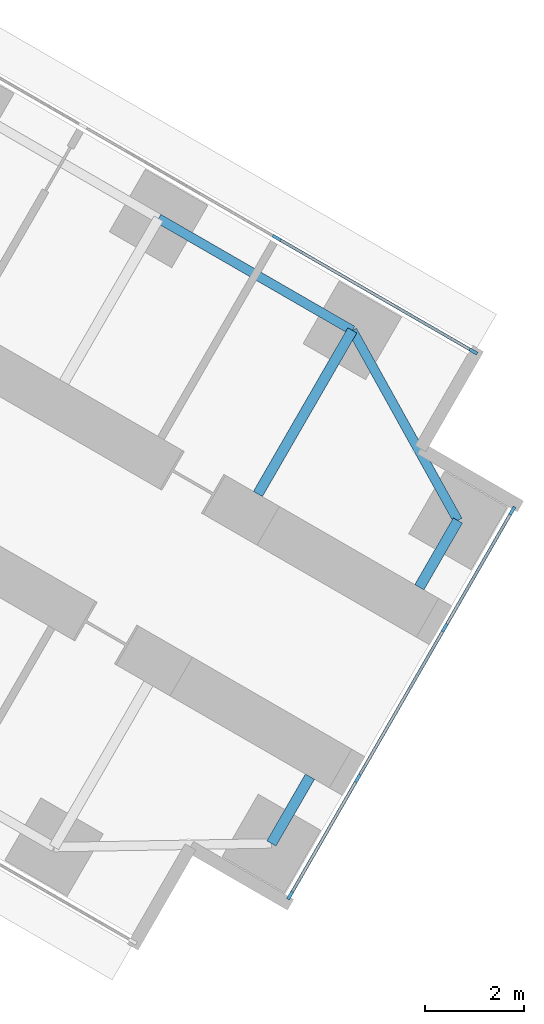
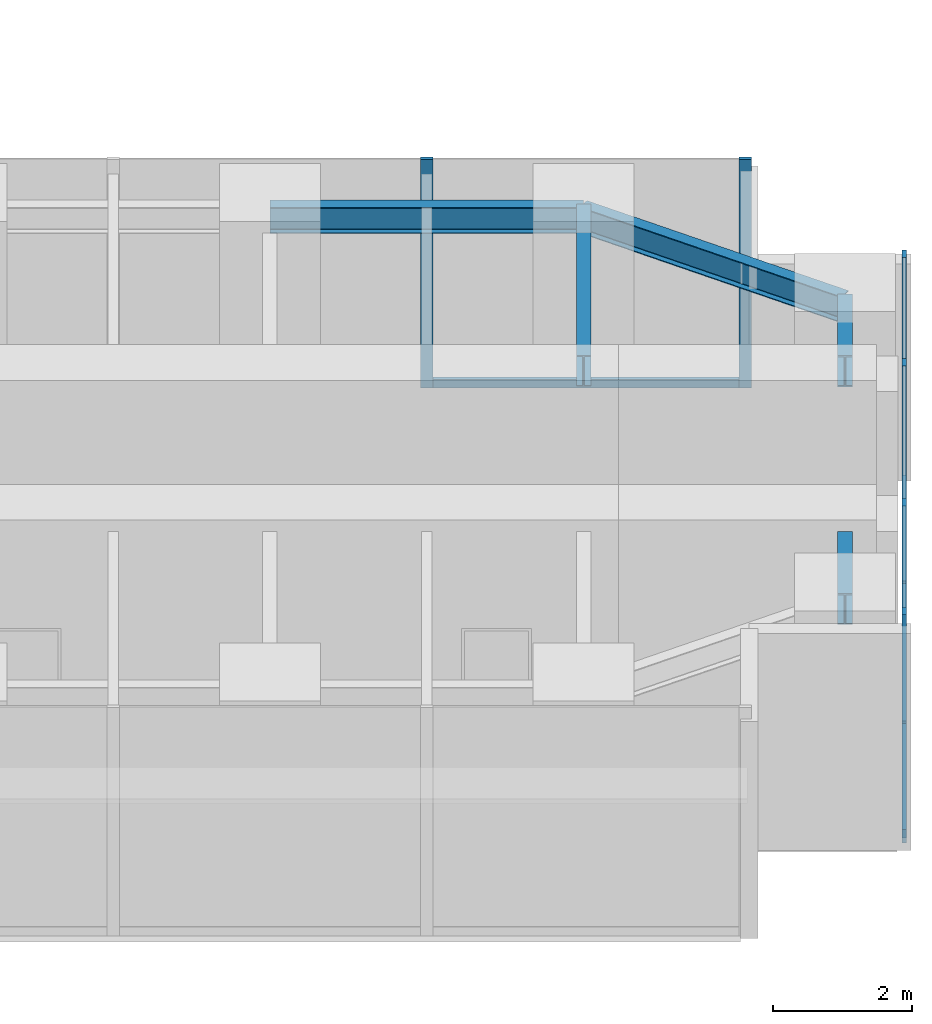
# One storey, part 12 of 24: 10 members, 5 beams, 2 elements without a shape of their own.
"""IFC4 building model written with IfcOpenShell, lengths in metres."""

from ifc_helpers import new_model, si_unit, direction, frame, origin, origin_2d, place, context, subcontext, project, spatial, rectangle, i_section, extrude, material, material_profile, profile_set, type_object, element, aggregate, save


model = new_model("IFC4")

# Units and contexts
model_context = context("Model", 3, precision=1e-05, world=origin(), true_north=direction((0.0, 1.0)))
body_context = subcontext(model_context, "Body", "Model", "MODEL_VIEW")
ifc_project = project(units=[si_unit("LENGTHUNIT", "METRE"), si_unit("AREAUNIT", "SQUARE_METRE"), si_unit("VOLUMEUNIT", "CUBIC_METRE"), si_unit("PLANEANGLEUNIT", "RADIAN"), si_unit("MASSUNIT", "GRAM", prefix="KILO")], contexts=[model_context])

# Site, building, storey
site_placement = place(None, origin())
site = spatial("IfcSite", under=ifc_project, at=site_placement, CompositionType="ELEMENT")
building_placement = place(site_placement, origin())
building = spatial("IfcBuilding", under=site, at=building_placement, Name="Upepo Twin Towers", CompositionType="ELEMENT")
storey_placement = place(building_placement, frame((0.0, 0.0, 68.5)))
storey = spatial("IfcBuildingStorey", under=building, at=storey_placement, Name="L16", CompositionType="ELEMENT", Elevation=68.5)

# Beams
ifc_material_1 = material(Name="Steel S355", Category="steel")
ifc_material_profile_1 = material_profile(ifc_material_1, i_section(OverallWidth=0.1904296875, OverallDepth=0.45703125, WebThickness=0.009033203125, FlangeThickness=0.014404296875, FilletRadius=0.01025390625, at=origin_2d()), Name="UB 457x191x74")
ifc_profile_set_1 = profile_set([ifc_material_profile_1], Name="Steel S355")
beam_type_1 = type_object("IfcBeamType", Name="Beam UB 457x191x74", PredefinedType="BEAM", material=ifc_profile_set_1)
beam_1_placement = place(storey_placement, frame((77.08837890625, -21.803955078125, 3.571533203125), z_axis=(0.866031096941, -0.499990139034, 0.0), x_axis=(0.499990139034, 0.866031096941, 0.0)))
element("IfcBeam", 1, at=beam_1_placement, inside=storey, type_object=beam_type_1, Name="T2 edge beam CL 18.0-22.5", PredefinedType="BEAM", context=body_context, shape_type="SweptSolid", body=[
    extrude(i_section(OverallWidth=0.1904296875, OverallDepth=0.45703125, WebThickness=0.009033203125, FlangeThickness=0.014404296875, FilletRadius=0.01025390625, at=origin_2d()), origin(), (0.0, 0.0, 1.0), 4.5),
])
beam_2_placement = place(storey_placement, frame((80.985595703125, -24.053955078125, 3.571533203125), z_axis=(0.485363242752, -0.874312600038, 0.0), x_axis=(0.874312600038, 0.485363242752, 0.0)))
element("IfcBeam", 2, at=beam_2_placement, inside=storey, type_object=beam_type_1, Name="T2 nose edge beam CL", PredefinedType="BEAM", context=body_context, shape_type="SweptSolid", body=[
    extrude(i_section(OverallWidth=0.1904296875, OverallDepth=0.45703125, WebThickness=0.009033203125, FlangeThickness=0.014404296875, FilletRadius=0.01025390625, at=origin_2d()), origin(), (0.0, 0.0, 1.0), 4.373046875),
])
ifc_material_2 = material(Name="Steel S355", Category="steel")
ifc_material_profile_2 = material_profile(ifc_material_2, i_section(OverallWidth=0.2119140625, OverallDepth=0.54443359375, WebThickness=0.0126953125, FlangeThickness=0.021240234375, FilletRadius=0.0126953125, at=origin_2d()), Name="UB 533x210x122")
ifc_profile_set_2 = profile_set([ifc_material_profile_2], Name="Steel S355")
beam_type_2 = type_object("IfcBeamType", Name="Beam UB 533x210x122", PredefinedType="BEAM", material=ifc_profile_set_2)
for number, where, z_axis, x_axis, name in (
    (3, (83.108154296875, -27.87744140625, 3.52783203125), (-0.499967891604, -0.866043940782, 0.0), (0.866043940782, -0.499967891604, 0.0), "T2 nose beam CL"),
    (4, (79.358154296875, -34.37255859375, 3.52783203125), (0.499967891604, 0.866043940782, 0.0), (-0.866043940782, 0.499967891604, 0.0), "T2 nose beam CR"),
):
    element("IfcBeam", number, at=place(storey_placement, frame(where, z_axis=z_axis, x_axis=x_axis)), inside=storey, type_object=beam_type_2, Name=name, PredefinedType="BEAM", context=body_context, shape_type="SweptSolid", body=[
        extrude(i_section(OverallWidth=0.2119140625, OverallDepth=0.54443359375, WebThickness=0.0126953125, FlangeThickness=0.021240234375, FilletRadius=0.0126953125, at=origin_2d()), origin(), (0.0, 0.0, 1.0), 1.5498046875),
    ])
ifc_material_3 = material(Name="Steel S355", Category="steel")
ifc_material_profile_3 = material_profile(ifc_material_3, i_section(OverallWidth=0.209228515625, OverallDepth=0.533203125, WebThickness=0.010009765625, FlangeThickness=0.015625, FilletRadius=0.0126953125, at=origin_2d()), Name="UB 533x210x92")
ifc_profile_set_3 = profile_set([ifc_material_profile_3], Name="Steel S355")
beam_type_3 = type_object("IfcBeamType", Name="Beam UB 533x210x92", PredefinedType="BEAM", material=ifc_profile_set_3)
beam_3_placement = place(storey_placement, frame((80.985595703125, -24.053955078125, 3.533447265625), z_axis=(-0.499994975061, -0.866028304915, 0.0), x_axis=(0.866028304915, -0.499994975061, 0.0)))
element("IfcBeam", 5, at=beam_3_placement, inside=storey, type_object=beam_type_3, Name="T2 girder CL at 22.5", PredefinedType="BEAM", context=body_context, shape_type="SweptSolid", body=[
    extrude(i_section(OverallWidth=0.209228515625, OverallDepth=0.533203125, WebThickness=0.010009765625, FlangeThickness=0.015625, FilletRadius=0.0126953125, at=origin_2d()), origin(), (0.0, 0.0, 1.0), 3.7998046875),
])

# Curtain wall, members
ifc_material_4 = material(Name="Aluminium and fritted glass", Category="aluminium")
curtain_wall_type = type_object("IfcCurtainWallType", Name="Tower curtain wall TW1, fritted glass", PredefinedType="NOTDEFINED", material=ifc_material_4)
curtain_wall_1_placement = place(storey_placement, origin())
curtain_wall_1 = element("IfcCurtainWall", 6, at=curtain_wall_1_placement, inside=storey, type_object=curtain_wall_type, Name="T2 L16 wing C flank L curtain wall", PredefinedType="NOTDEFINED")
ifc_material_5 = material(Name="Aluminium mullion", Category="aluminium")
ifc_material_profile_4 = material_profile(ifc_material_5, rectangle(XDim=0.06494140625, YDim=0.179931640625, at=origin_2d()), Name="MULLION 65x180")
ifc_profile_set_4 = profile_set([ifc_material_profile_4], Name="Aluminium mullion")
member_type_1 = type_object("IfcMemberType", Name="Mullion 65x180 TW1", PredefinedType="MULLION", material=ifc_profile_set_4)
member_1_placement = place(storey_placement, frame((79.4619140625, -22.192626953125, 0.0), z_axis=(0.0, 0.0, 1.0), x_axis=(0.500000024426, 0.866025389682, 0.0)))
member_1 = element("IfcMember", 7, at=member_1_placement, type_object=member_type_1, Name="T2 L16 wing C flank L curtain wall mullion 3", PredefinedType="MULLION", context=body_context, shape_type="SweptSolid", body=[
    extrude(rectangle(XDim=0.06494140625, YDim=0.179931640625, at=origin_2d()), origin(), (0.0, 0.0, 1.0), 4.0),
])
member_2_placement = place(storey_placement, frame((83.41748046875, -24.4765625, 0.0), z_axis=(0.0, 0.0, 1.0), x_axis=(0.500000024426, 0.866025389682, 0.0)))
member_2 = element("IfcMember", 8, at=member_2_placement, type_object=member_type_1, Name="T2 L16 wing C flank L curtain wall mullion 4", PredefinedType="MULLION", context=body_context, shape_type="SweptSolid", body=[
    extrude(rectangle(XDim=0.06494140625, YDim=0.179931640625, at=origin_2d()), origin(), (0.0, 0.0, 1.0), 4.0),
])

curtain_wall_2_placement = place(storey_placement, origin())
curtain_wall_2 = element("IfcCurtainWall", 9, at=curtain_wall_2_placement, inside=storey, type_object=curtain_wall_type, Name="T2 L16 wing C nose curtain wall", PredefinedType="NOTDEFINED")
member_3_placement = place(storey_placement, frame((79.735595703125, -35.4189453125, 0.0), z_axis=(0.0, 0.0, 1.0), x_axis=(-0.866025386174, 0.500000030502, 0.0)))
member_3 = element("IfcMember", 10, at=member_3_placement, type_object=member_type_1, Name="T2 L16 wing C nose curtain wall mullion 1", PredefinedType="MULLION", context=body_context, shape_type="SweptSolid", body=[
    extrude(rectangle(XDim=0.06494140625, YDim=0.179931640625, at=origin_2d()), origin(), (0.0, 0.0, 1.0), 4.0),
])
member_4_placement = place(storey_placement, frame((81.09423828125, -33.0654296875, 0.0), z_axis=(0.0, 0.0, 1.0), x_axis=(-0.866025386174, 0.500000030502, 0.0)))
member_4 = element("IfcMember", 11, at=member_4_placement, type_object=member_type_1, Name="T2 L16 wing C nose curtain wall mullion 2", PredefinedType="MULLION", context=body_context, shape_type="SweptSolid", body=[
    extrude(rectangle(XDim=0.06494140625, YDim=0.179931640625, at=origin_2d()), origin(), (0.0, 0.0, 1.0), 4.0),
])
member_5_placement = place(storey_placement, frame((82.84423828125, -30.034423828125, 0.0), z_axis=(0.0, 0.0, 1.0), x_axis=(-0.866025386174, 0.500000030502, 0.0)))
member_5 = element("IfcMember", 12, at=member_5_placement, type_object=member_type_1, Name="T2 L16 wing C nose curtain wall mullion 3", PredefinedType="MULLION", context=body_context, shape_type="SweptSolid", body=[
    extrude(rectangle(XDim=0.06494140625, YDim=0.179931640625, at=origin_2d()), origin(), (0.0, 0.0, 1.0), 4.0),
])
member_6_placement = place(storey_placement, frame((84.203125, -27.68115234375, 0.0), z_axis=(0.0, 0.0, 1.0), x_axis=(-0.866025386174, 0.500000030502, 0.0)))
member_6 = element("IfcMember", 13, at=member_6_placement, type_object=member_type_1, Name="T2 L16 wing C nose curtain wall mullion 4", PredefinedType="MULLION", context=body_context, shape_type="SweptSolid", body=[
    extrude(rectangle(XDim=0.06494140625, YDim=0.179931640625, at=origin_2d()), origin(), (0.0, 0.0, 1.0), 4.0),
])

# Member
ifc_material_6 = material(Name="Aluminium transom", Category="aluminium")
ifc_material_profile_5 = material_profile(ifc_material_6, rectangle(XDim=0.06494140625, YDim=0.14990234375, at=origin_2d()), Name="TRANSOM 65x150")
ifc_profile_set_5 = profile_set([ifc_material_profile_5], Name="Aluminium transom")
member_type_2 = type_object("IfcMemberType", Name="Transom 65x150 TW1", PredefinedType="USERDEFINED", material=ifc_profile_set_5)
member_7_placement = place(storey_placement, frame((79.490234375, -22.208984375, 0.074951171875), z_axis=(0.866022143554, -0.500005646842, 0.0), x_axis=(0.500005646842, 0.866022143554, 0.0)))
member_7 = element("IfcMember", 14, at=member_7_placement, type_object=member_type_2, Name="T2 L16 wing C flank L curtain wall transom 3", ObjectType="TRANSOM", PredefinedType="USERDEFINED", context=body_context, shape_type="SweptSolid", body=[
    extrude(rectangle(XDim=0.06494140625, YDim=0.14990234375, at=origin_2d()), origin(), (0.0, 0.0, 1.0), 4.50244140625),
])

aggregate(curtain_wall_1, [member_1, member_2, member_7])

member_8_placement = place(storey_placement, frame((79.751708984375, -35.390869140625, 0.074951171875), z_axis=(0.500049101008, 0.865997053448, 0.0), x_axis=(-0.865997053448, 0.500049101008, 0.0)))
member_8 = element("IfcMember", 15, at=member_8_placement, type_object=member_type_2, Name="T2 L16 wing C nose curtain wall transom 1", ObjectType="TRANSOM", PredefinedType="USERDEFINED", context=body_context, shape_type="SweptSolid", body=[
    extrude(rectangle(XDim=0.06494140625, YDim=0.14990234375, at=origin_2d()), origin(), (0.0, 0.0, 1.0), 2.652587890625),
])

member_9_placement = place(storey_placement, frame((81.110595703125, -33.037353515625, 0.074951171875), z_axis=(0.499999305434, 0.866025804792, 0.0), x_axis=(-0.866025804792, 0.499999305434, 0.0)))
member_9 = element("IfcMember", 16, at=member_9_placement, type_object=member_type_2, Name="T2 L16 wing C nose curtain wall transom 2", ObjectType="TRANSOM", PredefinedType="USERDEFINED", context=body_context, shape_type="SweptSolid", body=[
    extrude(rectangle(XDim=0.06494140625, YDim=0.14990234375, at=origin_2d()), origin(), (0.0, 0.0, 1.0), 3.43505859375),
])

member_10_placement = place(storey_placement, frame((82.860595703125, -30.00634765625, 0.074951171875), z_axis=(0.499980071345, 0.866036909293, 0.0), x_axis=(-0.866036909293, 0.499980071345, 0.0)))
member_10 = element("IfcMember", 17, at=member_10_placement, type_object=member_type_2, Name="T2 L16 wing C nose curtain wall transom 3", ObjectType="TRANSOM", PredefinedType="USERDEFINED", context=body_context, shape_type="SweptSolid", body=[
    extrude(rectangle(XDim=0.06494140625, YDim=0.14990234375, at=origin_2d()), origin(), (0.0, 0.0, 1.0), 2.65234375),
])

aggregate(curtain_wall_2, [member_3, member_4, member_5, member_6, member_8, member_9, member_10])

save(model, "model.ifc")
